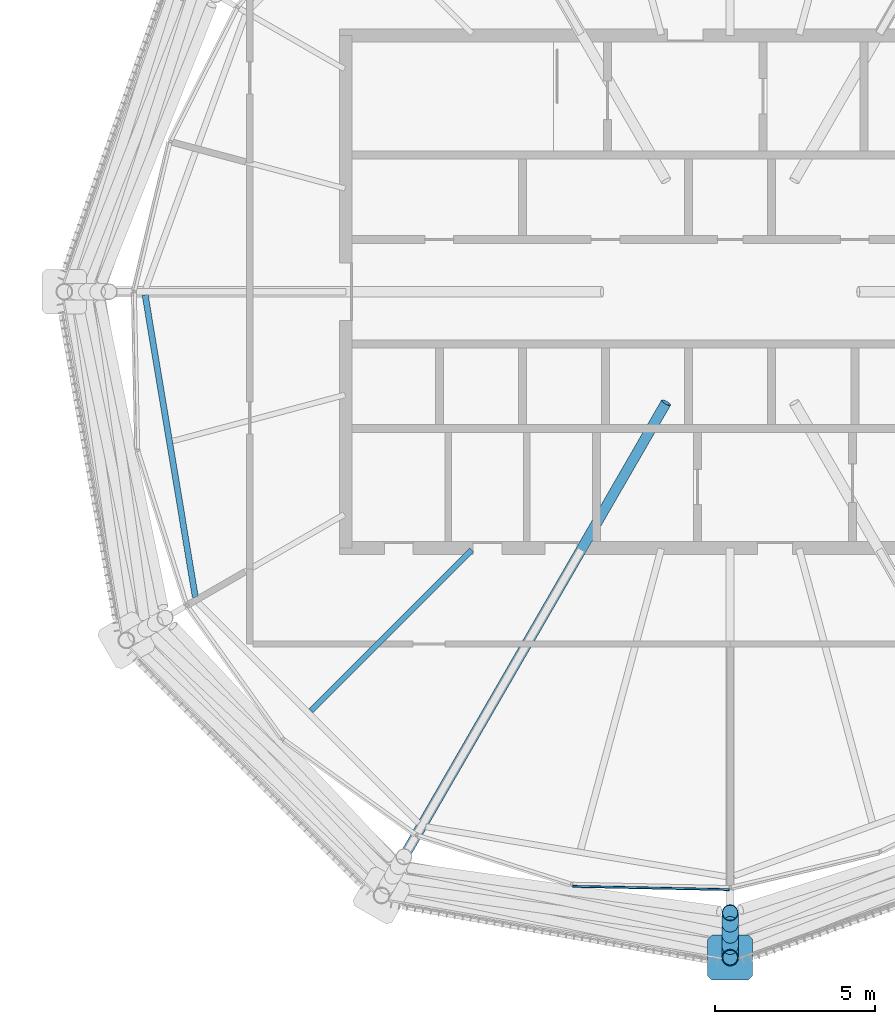
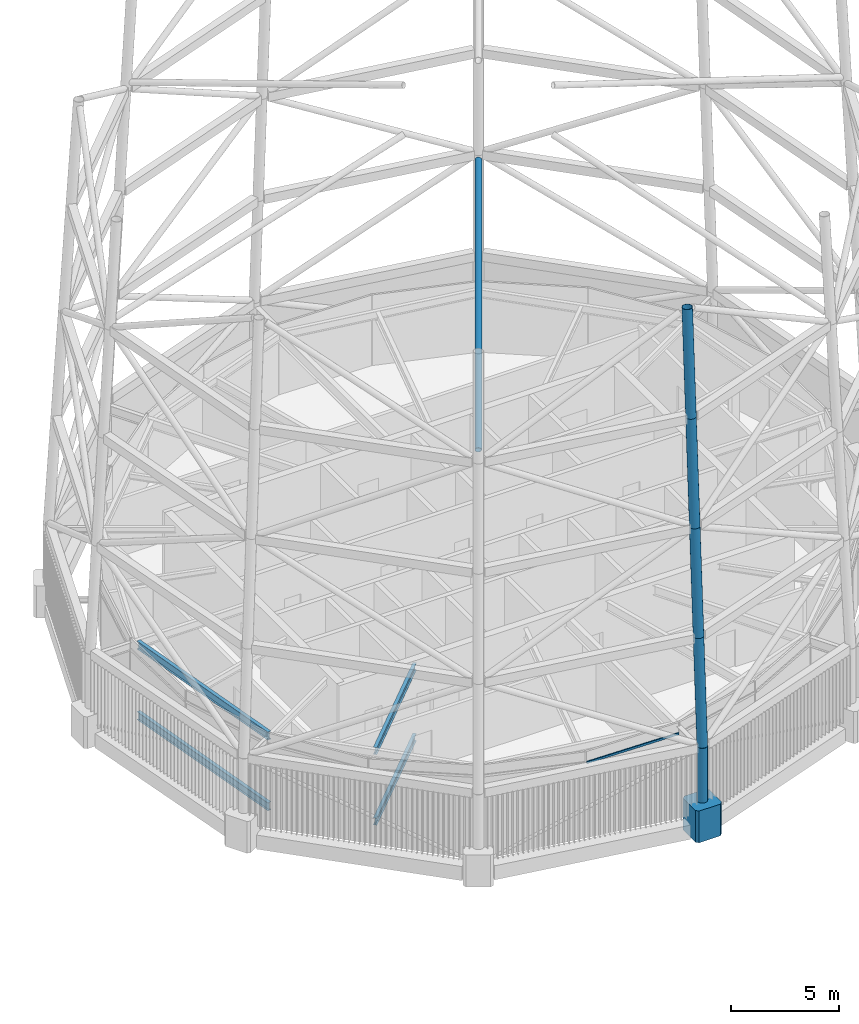
# One storey, part 41 of 71: 8 members, 4 beams, 1 element without a shape of its own.
"""IFC4 building model written with IfcOpenShell, lengths in metres."""

import ifcopenshell
import ifcopenshell.guid

model = None  # the IFC model being written
_history = None  # IfcOwnerHistory: only IFC2X3 demands one
_inside = {}  # id of a spatial element -> (the spatial element, [elements in it])
_under = {}  # id of a project, library or spatial element -> (it, [spatial elements below it])
_declared = {}  # id of a project -> (the project, [libraries it declares])
_typed = {}  # id of a type object -> (the type object, [elements of that type])
_made_of = {}  # id of a material, layer set ... -> (it, [elements and type objects made of it])


def new_model(schema):
    """Start an empty IFC model of exactly this schema.

    Asked for "IFC4X3", IfcOpenShell would pick the latest addendum, in which some entities
    have other attributes; the version numbers below select the first issue.
    IFC2X3 requires an IfcOwnerHistory on every rooted entity: one is made here for all.
    """
    global model, _history
    if schema == "IFC4X3":
        model = ifcopenshell.file(schema_version=(4, 3, 0, 0))
    else:
        model = ifcopenshell.file(schema=schema)
    _inside.clear()
    _under.clear()
    _declared.clear()
    _typed.clear()
    _made_of.clear()
    _history = None
    if model.schema == "IFC2X3":
        org = make("IfcOrganization", Name="unknown")
        user = make(
            "IfcPersonAndOrganization",
            ThePerson=make("IfcPerson", FamilyName="unknown"),
            TheOrganization=org,
        )
        app = make(
            "IfcApplication",
            ApplicationDeveloper=org,
            Version="unknown",
            ApplicationFullName="unknown",
            ApplicationIdentifier="unknown",
        )
        _history = make(
            "IfcOwnerHistory",
            OwningUser=user,
            OwningApplication=app,
            ChangeAction="ADDED",
            CreationDate=0,
        )
    return model


def make(cls, **values):
    """One entity of the class cls with the attributes given. An attribute that is None is left unset."""
    return model.create_entity(
        cls, **{name: value for name, value in values.items() if value is not None}
    )


def rooted(cls, **values):
    """An entity with a GlobalId (a new one), such as an element, a storey or a relation."""
    return make(cls, GlobalId=ifcopenshell.guid.new(), OwnerHistory=_history, **values)


def si_unit(unit_type, name, prefix=None):
    """IfcSIUnit, for example si_unit("LENGTHUNIT", "METRE", prefix="MILLI")."""
    return make("IfcSIUnit", UnitType=unit_type, Prefix=prefix, Name=name)


def assignment(units):
    """IfcUnitAssignment: the units of a project."""
    return None if units is None else make("IfcUnitAssignment", Units=units)


def point(xyz):
    """IfcCartesianPoint."""
    return None if xyz is None else make("IfcCartesianPoint", Coordinates=xyz)


def direction(xyz):
    """IfcDirection."""
    return None if xyz is None else make("IfcDirection", DirectionRatios=xyz)


def frame(location, z_axis=None, x_axis=None):
    """IfcAxis2Placement3D, a coordinate frame: its origin and axes. An axis left out is left unset."""
    return make(
        "IfcAxis2Placement3D",
        Location=point(location),
        Axis=direction(z_axis),
        RefDirection=direction(x_axis),
    )


def frame_2d(location, x_axis=None):
    """IfcAxis2Placement2D, a coordinate frame in the plane: its origin and x axis."""
    return make(
        "IfcAxis2Placement2D", Location=point(location), RefDirection=direction(x_axis)
    )


def origin():
    """The frame at (0, 0, 0) with its axes left unset."""
    return frame((0.0, 0.0, 0.0))


def origin_2d():
    """The frame at (0, 0) in the plane with its x axis left unset."""
    return frame_2d((0.0, 0.0))


def place(relative_to, where):
    """IfcLocalPlacement: puts the frame where relative to a parent placement (None: the world)."""
    return make(
        "IfcLocalPlacement", PlacementRelTo=relative_to, RelativePlacement=where
    )


def context(
    kind, dimensions, precision=None, world=None, true_north=None, identifier=None
):
    """IfcGeometricRepresentationContext, for example the 3D "Model" context."""
    return make(
        "IfcGeometricRepresentationContext",
        ContextIdentifier=identifier,
        ContextType=kind,
        CoordinateSpaceDimension=dimensions,
        Precision=precision,
        WorldCoordinateSystem=world,
        TrueNorth=true_north,
    )


def subcontext(parent, identifier, kind, view, scale=None):
    """IfcGeometricRepresentationSubContext, for example "Body" below "Model"."""
    return make(
        "IfcGeometricRepresentationSubContext",
        ContextIdentifier=identifier,
        ContextType=kind,
        ParentContext=parent,
        TargetScale=scale,
        TargetView=view,
    )


def project(units=None, contexts=None):
    """IfcProject with its units and contexts."""
    return rooted(
        "IfcProject",
        Name="project",
        RepresentationContexts=contexts,
        UnitsInContext=assignment(units),
    )


def spatial(cls, under=None, at=None, **own):
    """A site, building, storey or space (cls), placed at a placement, below another one or the project."""
    s = rooted(cls, ObjectPlacement=at, **own)
    if under is not None:
        _under.setdefault(under.id(), (under, []))[1].append(s)
    return s


def polyline(points):
    """IfcPolyline through the points."""
    return make("IfcPolyline", Points=[point(p) for p in points])


def profile(cls, at=None, kind="AREA", **sizes):
    """A parametric profile (cls). Its sizes go by their IFC names, for example OverallWidth=200.0."""
    return make(cls, ProfileType=kind, Position=at, **sizes)


def rectangle(**sizes):
    """IfcRectangleProfileDef."""
    return profile("IfcRectangleProfileDef", **sizes)


def hollow_circle(**sizes):
    """IfcCircleHollowProfileDef."""
    return profile("IfcCircleHollowProfileDef", **sizes)


def i_section(**sizes):
    """IfcIShapeProfileDef."""
    return profile("IfcIShapeProfileDef", **sizes)


def outline(outer, holes=None, kind="AREA"):
    """IfcArbitraryClosedProfileDef: a profile drawn as a closed curve; with holes, ...WithVoids."""
    if holes is None:
        return make("IfcArbitraryClosedProfileDef", ProfileType=kind, OuterCurve=outer)
    return make(
        "IfcArbitraryProfileDefWithVoids",
        ProfileType=kind,
        OuterCurve=outer,
        InnerCurves=holes,
    )


def extrude(swept, where, along, depth):
    """IfcExtrudedAreaSolid: the profile swept, set in the frame where, extruded along a direction by depth."""
    return make(
        "IfcExtrudedAreaSolid",
        SweptArea=swept,
        Position=where,
        ExtrudedDirection=direction(along),
        Depth=depth,
    )


def shape(context_of_items, identifier, shape_type, items):
    """IfcShapeRepresentation: the items that make up one representation, for example the "Body"."""
    return make(
        "IfcShapeRepresentation",
        ContextOfItems=context_of_items,
        RepresentationIdentifier=identifier,
        RepresentationType=shape_type,
        Items=items,
    )


def material(Name=None, Category=None):
    """IfcMaterial."""
    return make("IfcMaterial", Name=Name, Category=Category)


def material_profile(
    of_material, cross_section, Name=None, Category=None, Priority=None
):
    """IfcMaterialProfile: a cross section and its material."""
    return make(
        "IfcMaterialProfile",
        Name=Name,
        Material=of_material,
        Profile=cross_section,
        Priority=Priority,
        Category=Category,
    )


def profile_set(profiles, Name=None, composite=None):
    """IfcMaterialProfileSet."""
    return make(
        "IfcMaterialProfileSet",
        Name=Name,
        MaterialProfiles=profiles,
        CompositeProfile=composite,
    )


def made_of(thing, what):
    """Note that an element or type object is made of a material, layer set ...; save() writes the relation."""
    if what is not None:
        _made_of.setdefault(what.id(), (what, []))[1].append(thing)
    return thing


def type_object(cls, material=None, **own):
    """A type object (cls), such as IfcWallType, which elements share."""
    return made_of(rooted(cls, **own), material)


def element(
    cls,
    number,
    at=None,
    inside=None,
    cuts=None,
    type_object=None,
    material=None,
    context=None,
    identifier="Body",
    shape_type=None,
    held_by="IfcProductDefinitionShape",
    body=None,
    shapes=None,
    **own,
):
    """One element of the class cls, such as IfcWall. Its Tag is "e" and its number.

    at: its placement. inside: the storey or other place that contains it. cuts: it is an
    opening in that element (IfcRelVoidsElement). A single representation is given by context,
    identifier, shape_type and body (its items); several are given by shapes. held_by: the class
    of the entity that holds the representations. save() writes the other relations.
    """
    e = rooted(cls, Tag="e%d" % number, ObjectPlacement=at, **own)
    if body is not None:
        shapes = [shape(context, identifier, shape_type, body)]
    if shapes is not None:
        e.Representation = make(held_by, Representations=shapes)
    if inside is not None:
        _inside.setdefault(inside.id(), (inside, []))[1].append(e)
    if cuts is not None:
        rooted(
            "IfcRelVoidsElement", RelatingBuildingElement=cuts, RelatedOpeningElement=e
        )
    if type_object is not None:
        _typed.setdefault(type_object.id(), (type_object, []))[1].append(e)
    return made_of(e, material)


def aggregate(whole, parts):
    """IfcRelAggregates: a whole, such as a stair, and the parts it consists of."""
    return rooted("IfcRelAggregates", RelatingObject=whole, RelatedObjects=parts)


def save(model, path):
    """Write the relations noted so far, then the file.

    IfcRelAggregates (storeys below a building ...), IfcRelContainedInSpatialStructure (elements
    in a storey), IfcRelDefinesByType, IfcRelAssociatesMaterial and IfcRelDeclares: one each for
    every whole, place, type object, material and project.
    """
    for whole, parts in _under.values():
        aggregate(whole, parts)
    for where, things in _inside.values():
        rooted(
            "IfcRelContainedInSpatialStructure",
            RelatedElements=things,
            RelatingStructure=where,
        )
    for kind, things in _typed.values():
        rooted("IfcRelDefinesByType", RelatedObjects=things, RelatingType=kind)
    for what, things in _made_of.values():
        rooted("IfcRelAssociatesMaterial", RelatedObjects=things, RelatingMaterial=what)
    for by, libraries in _declared.values():
        rooted("IfcRelDeclares", RelatingContext=by, RelatedDefinitions=libraries)
    model.write(path)


model = new_model("IFC4")

# Units and contexts
model_context = context("Model", 3, precision=1e-05, world=origin(), true_north=direction((0.0, 1.0)))
body_context = subcontext(model_context, "Body", "Model", "MODEL_VIEW")
ifc_project = project(units=[si_unit("LENGTHUNIT", "METRE"), si_unit("AREAUNIT", "SQUARE_METRE"), si_unit("VOLUMEUNIT", "CUBIC_METRE"), si_unit("PLANEANGLEUNIT", "RADIAN"), si_unit("MASSUNIT", "GRAM", prefix="KILO")], contexts=[model_context])

# Site, building, storey
site_placement = place(None, origin())
site = spatial("IfcSite", under=ifc_project, at=site_placement, CompositionType="ELEMENT")
building_placement = place(site_placement, origin())
building = spatial("IfcBuilding", under=site, at=building_placement, Name="Rimbun Link Towers", CompositionType="ELEMENT")
storey_placement = place(building_placement, frame((0.0, 0.0, 267.60009765625)))
storey = spatial("IfcBuildingStorey", under=building, at=storey_placement, Name="L65", CompositionType="ELEMENT", Elevation=267.60009765625)

# Curtain wall, member
ifc_material_1 = material(Name="Aluminium 6063-T6 louvre wall", Category="aluminium")
curtain_wall_type = type_object("IfcCurtainWallType", Name="CW6 plant floor louvre wall", PredefinedType="NOTDEFINED", material=ifc_material_1)
curtain_wall_placement = place(storey_placement, origin())
curtain_wall = element("IfcCurtainWall", 1, at=curtain_wall_placement, inside=storey, type_object=curtain_wall_type, Name="CW6 L65 T2", PredefinedType="NOTDEFINED")
ifc_material_2 = material(Name="Aluminium 6063-T6", Category="aluminium")
ifc_material_profile_1 = material_profile(ifc_material_2, rectangle(XDim=0.06005859375, YDim=0.1201171875, at=origin_2d()), Name="TRANSOM 60X120")
ifc_profile_set_1 = profile_set([ifc_material_profile_1], Name="Aluminium 6063-T6")
member_type_1 = type_object("IfcMemberType", Name="CW6 transom 60X120", PredefinedType="USERDEFINED", material=ifc_profile_set_1)
member_1_placement = place(storey_placement, frame((31.71728515625, -18.669921875, 3.39990234375), z_axis=(-0.999777224398, 0.021106908234, 0.0), x_axis=(-0.021106908234, -0.999777224398, 0.0)))
member_1 = element("IfcMember", 2, at=member_1_placement, type_object=member_type_1, Name="CW6 transom", ObjectType="TRANSOM", PredefinedType="USERDEFINED", context=body_context, shape_type="SweptSolid", body=[
    extrude(rectangle(XDim=0.06005859375, YDim=0.1201171875, at=origin_2d()), origin(), (0.0, 0.0, 1.0), 4.881103515625),
])
aggregate(curtain_wall, [member_1])

# Members
ifc_material_3 = material(Name="Steel S355J2H", Category="steel")
ifc_material_profile_2 = material_profile(ifc_material_3, hollow_circle(Radius=0.161865234375, WallThickness=0.011962890625, at=origin_2d()), Name="Crown frame brace CHS 324x12")
ifc_profile_set_2 = profile_set([ifc_material_profile_2], Name="Steel S355J2H")
member_type_2 = type_object("IfcMemberType", Name="Crown frame brace CHS 324x12", PredefinedType="BRACE", material=ifc_profile_set_2)
member_2_placement = place(storey_placement, frame((29.75, -3.464111328125, 27.39990234375), z_axis=(-0.478779219465, -0.829273641981, -0.288228530379), x_axis=(0.866026371934, -0.499998323111, 0.0)))
element("IfcMember", 3, at=member_2_placement, inside=storey, type_object=member_type_2, Name="CROWN FRAME hub stay T2 06", PredefinedType="BRACE", context=body_context, shape_type="SweptSolid", body=[
    extrude(hollow_circle(Radius=0.161865234375, WallThickness=0.011962890625, at=origin_2d()), origin(), (0.0, 0.0, 1.0), 17.173583984375),
])
ifc_material_4 = material(Name="Steel S355J2H", Category="steel")
ifc_material_profile_3 = material_profile(ifc_material_4, hollow_circle(Radius=0.25390625, WallThickness=0.02001953125, at=origin_2d()), Name="Crown frame post CHS 508x20")
ifc_profile_set_3 = profile_set([ifc_material_profile_3], Name="Steel S355J2H")
member_type_3 = type_object("IfcMemberType", Name="Crown frame post CHS 508x20", PredefinedType="POST", material=ifc_profile_set_3)
member_3_placement = place(storey_placement, frame((31.75, -20.79052734375, 0.0), z_axis=(0.0, 0.0, 1.0), x_axis=(1.0, 0.0, 0.0)))
element("IfcMember", 4, at=member_3_placement, inside=storey, type_object=member_type_3, Name="CROWN FRAME post T2 1-07", PredefinedType="POST", context=body_context, shape_type="SweptSolid", body=[
    extrude(hollow_circle(Radius=0.25390625, WallThickness=0.02001953125, at=origin_2d()), origin(), (0.0, 0.0, 1.0), 4.0),
])
for number, where, z_axis, x_axis, name in (
    (5, (31.75, -20.79052734375, 4.0), (0.0, 0.058250531515, 0.998301996181), (-1.0, 0.0, 0.0), "CROWN FRAME post T2 2-07"),
    (6, (31.75, -20.4404296875, 10.0), (0.0, 0.058210048192, 0.998304357543), (-1.0, 0.0, 0.0), "CROWN FRAME post T2 3-07"),
    (7, (31.75, -20.090576171875, 16.0), (0.0, 0.058250531515, 0.998301996181), (-1.0, 0.0, 0.0), "CROWN FRAME post T2 4-07"),
    (8, (31.75, -19.740478515625, 22.0), (0.0, 0.058250531515, 0.998301996181), (-1.0, 0.0, 0.0), "CROWN FRAME post T2 5-07"),
):
    element("IfcMember", number, at=place(storey_placement, frame(where, z_axis=z_axis, x_axis=x_axis)), inside=storey, type_object=member_type_3, Name=name, PredefinedType="POST", context=body_context, shape_type="SweptSolid", body=[
        extrude(hollow_circle(Radius=0.25390625, WallThickness=0.02001953125, at=origin_2d()), origin(), (0.0, 0.0, 1.0), 6.01025390625),
    ])
ifc_material_5 = material(Name="Cast steel G20Mn5+QT, Rp0.2 300 MPa", Category="steel")
ifc_material_profile_4 = material_profile(ifc_material_5, outline(polyline([(0.699951171875, -0.570068359375), (0.699951171875, 0.570068359375), (0.570068359375, 0.699951171875), (-0.570068359375, 0.699951171875), (-0.699951171875, 0.570068359375), (-0.699951171875, -0.570068359375), (-0.570068359375, -0.699951171875), (0.570068359375, -0.699951171875), (0.699951171875, -0.570068359375)])), Name="NODE 1400x1400")
ifc_profile_set_4 = profile_set([ifc_material_profile_4], Name="Cast steel G20Mn5+QT, Rp0.2 300 MPa")
member_type_4 = type_object("IfcMemberType", Name="Diagrid node cast 1400", PredefinedType="USERDEFINED", material=ifc_profile_set_4)
member_4_placement = place(storey_placement, frame((31.75, -20.79052734375, -0.900146484375), z_axis=(0.0, 0.0, 1.0), x_axis=(0.0, -1.0, 0.0)))
element("IfcMember", 9, at=member_4_placement, inside=storey, type_object=member_type_4, Name="Diagrid node L65 15", ObjectType="Diagrid node", PredefinedType="USERDEFINED", context=body_context, shape_type="SweptSolid", body=[
    extrude(outline(polyline([(0.699951171875, -0.570068359375), (0.699951171875, 0.570068359375), (0.570068359375, 0.699951171875), (-0.570068359375, 0.699951171875), (-0.699951171875, 0.570068359375), (-0.699951171875, -0.570068359375), (-0.570068359375, -0.699951171875), (0.570068359375, -0.699951171875), (0.699951171875, -0.570068359375)])), origin(), (0.0, 0.0, 1.0), 1.800048828125),
])

# Beams
ifc_material_6 = material(Name="Steel S355J2", Category="steel")
ifc_material_profile_5 = material_profile(ifc_material_6, i_section(OverallWidth=0.177978515625, OverallDepth=0.406494140625, WebThickness=0.0078125, FlangeThickness=0.0126953125, at=origin_2d()), Name="UB 406x178x60")
ifc_profile_set_5 = profile_set([ifc_material_profile_5], Name="Steel S355J2")
beam_type_1 = type_object("IfcBeamType", Name="UB 406x178x60", PredefinedType="BEAM", material=ifc_profile_set_5)
for number, where, z_axis, x_axis, name in (
    (10, (23.686279296875, -8.063720703125, -0.4033203125), (-0.707106781187, -0.707106781187, 0.0), (0.707106781187, -0.707106781187, 0.0), "Radial beam T2 L65 12"),
    (11, (23.686279296875, -8.063720703125, 3.5966796875), (-0.707106781187, -0.707106781187, 0.0), (0.707106781187, -0.707106781187, 0.0), "Radial beam T2 L65 12"),
):
    element("IfcBeam", number, at=place(storey_placement, frame(where, z_axis=z_axis, x_axis=x_axis)), inside=storey, type_object=beam_type_1, Name=name, PredefinedType="BEAM", context=body_context, shape_type="SweptSolid", body=[
        extrude(i_section(OverallWidth=0.177978515625, OverallDepth=0.406494140625, WebThickness=0.0078125, FlangeThickness=0.0126953125, at=origin_2d()), origin(), (0.0, 0.0, 1.0), 7.10693359375),
    ])
ifc_material_7 = material(Name="Steel S355J2", Category="steel")
ifc_material_profile_6 = material_profile(ifc_material_7, i_section(OverallWidth=0.18994140625, OverallDepth=0.453369140625, WebThickness=0.008544921875, FlangeThickness=0.0126953125, at=origin_2d()), Name="UB 457x191x67")
ifc_profile_set_6 = profile_set([ifc_material_profile_6], Name="Steel S355J2")
beam_type_2 = type_object("IfcBeamType", Name="UB 457x191x67", PredefinedType="BEAM", material=ifc_profile_set_6)
for number, where, z_axis, x_axis, name in (
    (12, (13.482421875, -0.095947265625, -0.4267578125), (0.164005977125, -0.986459345066, 0.0), (0.986459345066, 0.164005977125, 0.0), "Edge beam T2 L65 09-11"),
    (13, (13.482421875, -0.095947265625, 3.5732421875), (0.164005977125, -0.986459345066, 0.0), (0.986459345066, 0.164005977125, 0.0), "Edge beam T2 L65 09-11"),
):
    element("IfcBeam", number, at=place(storey_placement, frame(where, z_axis=z_axis, x_axis=x_axis)), inside=storey, type_object=beam_type_2, Name=name, PredefinedType="BEAM", context=body_context, shape_type="SweptSolid", body=[
        extrude(i_section(OverallWidth=0.18994140625, OverallDepth=0.453369140625, WebThickness=0.008544921875, FlangeThickness=0.0126953125, at=origin_2d()), origin(), (0.0, 0.0, 1.0), 9.5703125),
    ])

save(model, "model.ifc")
